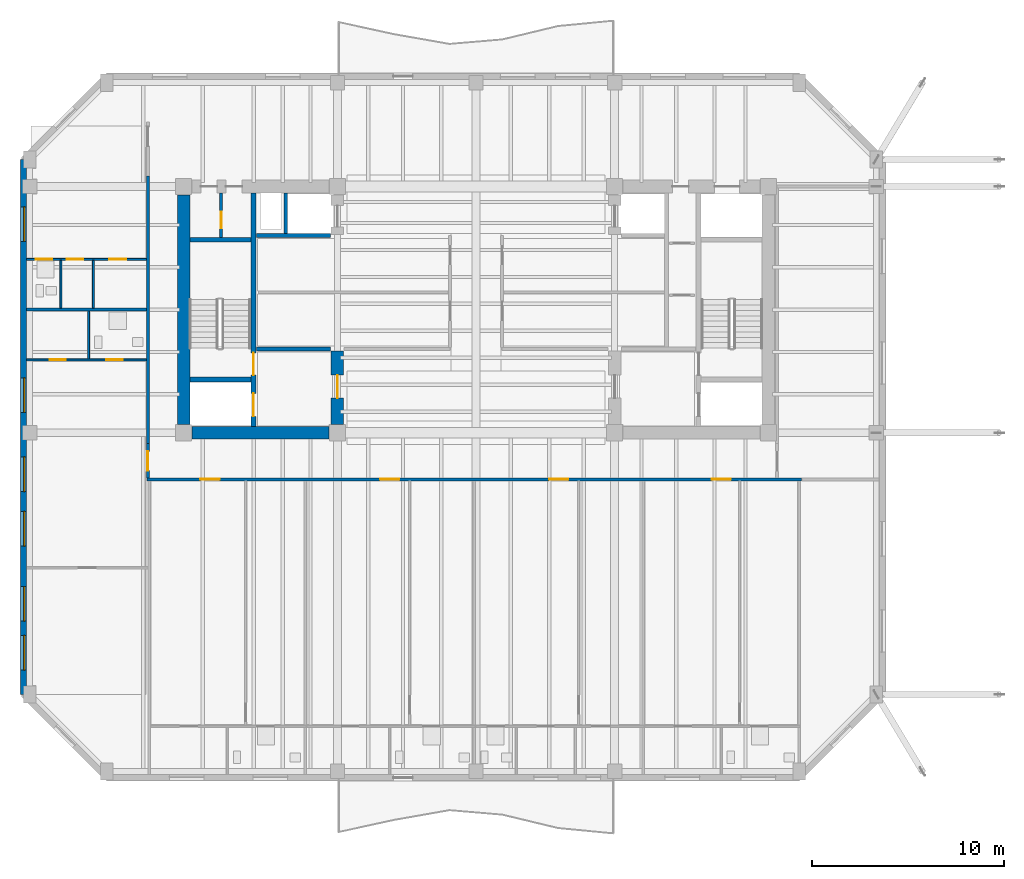
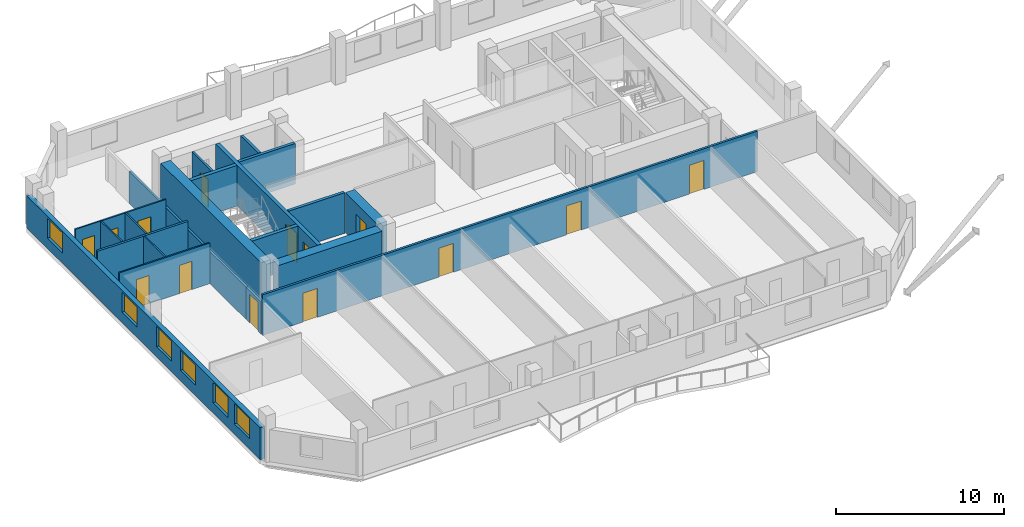
# One storey, part 5 of 12: 20 walls, 14 doors, 6 windows, 20 openings.
"""IFC4 building model written with IfcOpenShell, lengths in metres."""

from ifc_helpers import new_model, si_unit, direction, frame, frame_2d, origin, place, context, subcontext, project, spatial, rectangle, extrude, material, layer, layer_set, type_object, element, fill, save


model = new_model("IFC4")

# Units and contexts
model_context = context("Model", 3, precision=1e-05, world=origin(), true_north=direction((0.0, 1.0)))
body_context = subcontext(model_context, "Body", "Model", "MODEL_VIEW")
ifc_project = project(units=[si_unit("LENGTHUNIT", "METRE"), si_unit("AREAUNIT", "SQUARE_METRE"), si_unit("VOLUMEUNIT", "CUBIC_METRE"), si_unit("PLANEANGLEUNIT", "RADIAN"), si_unit("MASSUNIT", "GRAM", prefix="KILO")], contexts=[model_context])

# Site, building, storey
site_placement = place(None, origin())
site = spatial("IfcSite", under=ifc_project, at=site_placement, CompositionType="ELEMENT")
building_placement = place(site_placement, origin())
building = spatial("IfcBuilding", under=site, at=building_placement, Name="Kranthara Brick Stack", CompositionType="ELEMENT")
storey_placement = place(building_placement, frame((0.0, 0.0, 224.5)))
storey = spatial("IfcBuildingStorey", under=building, at=storey_placement, Name="L58", CompositionType="ELEMENT", Elevation=224.5)

# Wall, openings, windows
ifc_material_1 = material(Name="Warm buff clay brick masonry M15", Category="masonry")
ifc_layer_1 = layer(ifc_material_1, 0.320068359375)
ifc_layer_set_1 = layer_set([ifc_layer_1], Name="Warm buff clay brick masonry M15")
wall_type_1 = type_object("IfcWallType", Name="WL-BRK-UPPR-320", PredefinedType="STANDARD", material=ifc_layer_set_1)
wall_1_placement = place(storey_placement, frame((4.47998046875, 7.199951171875, 0.0), z_axis=(0.0, 0.0, 1.0), x_axis=(0.0, 1.0, 0.0)))
wall_1 = element("IfcWall", 1, at=wall_1_placement, inside=storey, type_object=wall_type_1, Name="L58 Exterior Brick Facade Wall WEST 1", PredefinedType="STANDARD", context=body_context, shape_type="SweptSolid", body=[
    extrude(rectangle(XDim=27.800048828125, YDim=0.320068359375, at=frame_2d((13.89990234375, 0.0))), origin(), (0.0, 0.0, 1.0), 2.3349609375),
])
opening_1_placement = place(wall_1_placement, frame((1.27197265625, 0.0, 0.75)))
opening_1 = element("IfcOpeningElement", 2, at=opening_1_placement, cuts=wall_1, Name="Opening WN07", PredefinedType="OPENING", context=body_context, shape_type="SweptSolid", body=[
    extrude(rectangle(XDim=1.800048828125, YDim=1.465087890625, at=frame_2d((0.89990234375, 0.732421875))), frame((0.0, 0.169921875, 0.0), z_axis=(0.0, -1.0, 0.0), x_axis=(1.0, 0.0, 0.0)), (0.0, 0.0, 1.0), 0.340087890625),
])
opening_2_placement = place(wall_1_placement, frame((3.805908203125, 0.0, 0.75)))
opening_2 = element("IfcOpeningElement", 3, at=opening_2_placement, cuts=wall_1, Name="Opening WN07", PredefinedType="OPENING", context=body_context, shape_type="SweptSolid", body=[
    extrude(rectangle(XDim=1.800048828125, YDim=1.465087890625, at=frame_2d((0.89990234375, 0.732421875))), frame((0.0, 0.169921875, 0.0), z_axis=(0.0, -1.0, 0.0), x_axis=(1.0, 0.0, 0.0)), (0.0, 0.0, 1.0), 0.340087890625),
])
opening_3_placement = place(wall_1_placement, frame((7.7109375, 0.0, 0.75)))
opening_3 = element("IfcOpeningElement", 4, at=opening_3_placement, cuts=wall_1, Name="Opening WN07", PredefinedType="OPENING", context=body_context, shape_type="SweptSolid", body=[
    extrude(rectangle(XDim=1.800048828125, YDim=1.465087890625, at=frame_2d((0.89990234375, 0.732421875))), frame((0.0, 0.169921875, 0.0), z_axis=(0.0, -1.0, 0.0), x_axis=(1.0, 0.0, 0.0)), (0.0, 0.0, 1.0), 0.340087890625),
])
opening_4_placement = place(wall_1_placement, frame((10.5419921875, 0.0, 0.75)))
opening_4 = element("IfcOpeningElement", 5, at=opening_4_placement, cuts=wall_1, Name="Opening WN07", PredefinedType="OPENING", context=body_context, shape_type="SweptSolid", body=[
    extrude(rectangle(XDim=1.800048828125, YDim=1.465087890625, at=frame_2d((0.89990234375, 0.732421875))), frame((0.0, 0.169921875, 0.0), z_axis=(0.0, -1.0, 0.0), x_axis=(1.0, 0.0, 0.0)), (0.0, 0.0, 1.0), 0.340087890625),
])
opening_5_placement = place(wall_1_placement, frame((14.657958984375, 0.0, 0.75)))
opening_5 = element("IfcOpeningElement", 6, at=opening_5_placement, cuts=wall_1, Name="Opening WN07", PredefinedType="OPENING", context=body_context, shape_type="SweptSolid", body=[
    extrude(rectangle(XDim=1.800048828125, YDim=1.465087890625, at=frame_2d((0.89990234375, 0.732421875))), frame((0.0, 0.169921875, 0.0), z_axis=(0.0, -1.0, 0.0), x_axis=(1.0, 0.0, 0.0)), (0.0, 0.0, 1.0), 0.340087890625),
])
opening_6_placement = place(wall_1_placement, frame((23.54296875, 0.0, 0.75)))
opening_6 = element("IfcOpeningElement", 7, at=opening_6_placement, cuts=wall_1, Name="Opening WN07", PredefinedType="OPENING", context=body_context, shape_type="SweptSolid", body=[
    extrude(rectangle(XDim=1.800048828125, YDim=1.465087890625, at=frame_2d((0.89990234375, 0.732421875))), frame((0.0, 0.169921875, 0.0), z_axis=(0.0, -1.0, 0.0), x_axis=(1.0, 0.0, 0.0)), (0.0, 0.0, 1.0), 0.340087890625),
])
ifc_material_2 = material(Name="Double-glazed low-E solar control glass", Category="glass")
window_type = type_object("IfcWindowType", Name="WN-RES-1800x1850", PartitioningType="DOUBLE_PANEL_VERTICAL", PredefinedType="WINDOW", material=ifc_material_2)
window_1_placement = place(opening_1_placement, origin())
window_1 = element("IfcWindow", 8, at=window_1_placement, inside=storey, type_object=window_type, Name="L58 West Deep-Set Brick Window 01", OverallHeight=1.465087890625, OverallWidth=1.800048828125, PartitioningType="SINGLE_PANEL", PredefinedType="WINDOW", context=body_context, shape_type="SweptSolid", body=[
    extrude(rectangle(XDim=1.800048828125, YDim=1.465087890625, at=frame_2d((0.89990234375, 0.732421875))), frame((0.0, -0.010009765625, 0.0), z_axis=(0.0, -1.0, 0.0), x_axis=(1.0, 0.0, 0.0)), (0.0, 0.0, 1.0), 0.06005859375),
])
fill(opening_1, window_1)
window_2_placement = place(opening_2_placement, origin())
window_2 = element("IfcWindow", 9, at=window_2_placement, inside=storey, type_object=window_type, Name="L58 West Deep-Set Brick Window 02", OverallHeight=1.465087890625, OverallWidth=1.800048828125, PartitioningType="SINGLE_PANEL", PredefinedType="WINDOW", context=body_context, shape_type="SweptSolid", body=[
    extrude(rectangle(XDim=1.800048828125, YDim=1.465087890625, at=frame_2d((0.89990234375, 0.732421875))), frame((0.0, -0.010009765625, 0.0), z_axis=(0.0, -1.0, 0.0), x_axis=(1.0, 0.0, 0.0)), (0.0, 0.0, 1.0), 0.06005859375),
])
fill(opening_2, window_2)
window_3_placement = place(opening_3_placement, origin())
window_3 = element("IfcWindow", 10, at=window_3_placement, inside=storey, type_object=window_type, Name="L58 West Deep-Set Brick Window 03", OverallHeight=1.465087890625, OverallWidth=1.800048828125, PartitioningType="SINGLE_PANEL", PredefinedType="WINDOW", context=body_context, shape_type="SweptSolid", body=[
    extrude(rectangle(XDim=1.800048828125, YDim=1.465087890625, at=frame_2d((0.89990234375, 0.732421875))), frame((0.0, -0.010009765625, 0.0), z_axis=(0.0, -1.0, 0.0), x_axis=(1.0, 0.0, 0.0)), (0.0, 0.0, 1.0), 0.06005859375),
])
fill(opening_3, window_3)
window_4_placement = place(opening_4_placement, origin())
window_4 = element("IfcWindow", 11, at=window_4_placement, inside=storey, type_object=window_type, Name="L58 West Deep-Set Brick Window 04", OverallHeight=1.465087890625, OverallWidth=1.800048828125, PartitioningType="SINGLE_PANEL", PredefinedType="WINDOW", context=body_context, shape_type="SweptSolid", body=[
    extrude(rectangle(XDim=1.800048828125, YDim=1.465087890625, at=frame_2d((0.89990234375, 0.732421875))), frame((0.0, -0.010009765625, 0.0), z_axis=(0.0, -1.0, 0.0), x_axis=(1.0, 0.0, 0.0)), (0.0, 0.0, 1.0), 0.06005859375),
])
fill(opening_4, window_4)
window_5_placement = place(opening_5_placement, origin())
window_5 = element("IfcWindow", 12, at=window_5_placement, inside=storey, type_object=window_type, Name="L58 West Deep-Set Brick Window 05", OverallHeight=1.465087890625, OverallWidth=1.800048828125, PartitioningType="SINGLE_PANEL", PredefinedType="WINDOW", context=body_context, shape_type="SweptSolid", body=[
    extrude(rectangle(XDim=1.800048828125, YDim=1.465087890625, at=frame_2d((0.89990234375, 0.732421875))), frame((0.0, -0.010009765625, 0.0), z_axis=(0.0, -1.0, 0.0), x_axis=(1.0, 0.0, 0.0)), (0.0, 0.0, 1.0), 0.06005859375),
])
fill(opening_5, window_5)
window_6_placement = place(opening_6_placement, origin())
window_6 = element("IfcWindow", 13, at=window_6_placement, inside=storey, type_object=window_type, Name="L58 West Deep-Set Brick Window 06", OverallHeight=1.465087890625, OverallWidth=1.800048828125, PartitioningType="SINGLE_PANEL", PredefinedType="WINDOW", context=body_context, shape_type="SweptSolid", body=[
    extrude(rectangle(XDim=1.800048828125, YDim=1.465087890625, at=frame_2d((0.89990234375, 0.732421875))), frame((0.0, -0.010009765625, 0.0), z_axis=(0.0, -1.0, 0.0), x_axis=(1.0, 0.0, 0.0)), (0.0, 0.0, 1.0), 0.06005859375),
])
fill(opening_6, window_6)

# Wall, openings, doors
ifc_material_3 = material(Name="Concrete C50/60", Category="concrete")
ifc_layer_2 = layer(ifc_material_3, 0.25)
ifc_layer_set_2 = layer_set([ifc_layer_2], Name="Concrete C50/60")
wall_type_2 = type_object("IfcWallType", Name="WL-CORE-250", PredefinedType="SHEAR", material=ifc_layer_set_2)
wall_2_placement = place(storey_placement, frame((16.43505859375, 21.135009765625, 0.0), z_axis=(0.0, 0.0, 1.0), x_axis=(0.0, 1.0, 0.0)))
wall_2 = element("IfcWall", 14, at=wall_2_placement, inside=storey, type_object=wall_type_2, Name="L58 West Core Stair Bearing Spine Wall", PredefinedType="SHEAR", context=body_context, shape_type="SweptSolid", body=[
    extrude(rectangle(XDim=12.1298828125, YDim=0.25, at=frame_2d((6.06494140625, 0.0))), origin(), (0.0, 0.0, 1.0), 2.949951171875),
])
opening_7_placement = place(wall_2_placement, frame((0.514892578125, 0.0, 0.0)))
opening_7 = element("IfcOpeningElement", 15, at=opening_7_placement, cuts=wall_2, Name="Opening LD01", PredefinedType="OPENING", context=body_context, shape_type="SweptSolid", body=[
    extrude(rectangle(XDim=1.199951171875, YDim=2.14990234375, at=frame_2d((0.60009765625, 1.074951171875))), frame((0.0, 0.135009765625, 0.0), z_axis=(0.0, -1.0, 0.0), x_axis=(1.0, 0.0, 0.0)), (0.0, 0.0, 1.0), 0.27001953125),
])
opening_8_placement = place(wall_2_placement, frame((2.6650390625, 0.0, 0.0)))
opening_8 = element("IfcOpeningElement", 16, at=opening_8_placement, cuts=wall_2, Name="Opening D05", PredefinedType="OPENING", context=body_context, shape_type="SweptSolid", body=[
    extrude(rectangle(XDim=1.14990234375, YDim=2.14990234375, at=frame_2d((0.574951171875, 1.074951171875))), frame((0.0, 0.135009765625, 0.0), z_axis=(0.0, -1.0, 0.0), x_axis=(1.0, 0.0, 0.0)), (0.0, 0.0, 1.0), 0.27001953125),
])
ifc_material_4 = material(Name="Stainless steel sliding landing door", Category="steel")
door_type_1 = type_object("IfcDoorType", Name="DR-LD-FF1200", OperationType="DOUBLE_DOOR_SLIDING", PredefinedType="DOOR", material=ifc_material_4)
door_1_placement = place(opening_7_placement, origin())
door_1 = element("IfcDoor", 17, at=door_1_placement, inside=storey, type_object=door_type_1, Name="L58 Firefighting Lift FF-01 Landing Door", OperationType="DOUBLE_DOOR_SLIDING", OverallHeight=2.14990234375, OverallWidth=1.199951171875, PredefinedType="DOOR", context=body_context, shape_type="SweptSolid", body=[
    extrude(rectangle(XDim=1.199951171875, YDim=2.14990234375, at=frame_2d((0.60009765625, 1.074951171875))), frame((0.0, 0.02490234375, 0.0), z_axis=(0.0, -1.0, 0.0), x_axis=(1.0, 0.0, 0.0)), (0.0, 0.0, 1.0), 0.050048828125),
])
fill(opening_7, door_1)
ifc_material_5 = material(Name="Solid-core hardwood timber leaf in steel frame", Category="steel")
door_type_2 = type_object("IfcDoorType", Name="DR-ST-1150", OperationType="NOTDEFINED", PredefinedType="DOOR", material=ifc_material_5)
door_2_placement = place(opening_8_placement, origin())
door_2 = element("IfcDoor", 18, at=door_2_placement, inside=storey, type_object=door_type_2, Name="L58 Exit Stair ST01 Door", OperationType="SINGLE_SWING_RIGHT", OverallHeight=2.14990234375, OverallWidth=1.14990234375, PredefinedType="DOOR", context=body_context, shape_type="SweptSolid", body=[
    extrude(rectangle(XDim=1.14990234375, YDim=2.14990234375, at=frame_2d((0.574951171875, 1.074951171875))), frame((0.0, 0.02490234375, 0.0), z_axis=(0.0, -1.0, 0.0), x_axis=(1.0, 0.0, 0.0)), (0.0, 0.0, 1.0), 0.050048828125),
])
fill(opening_8, door_2)

# Walls
for number, where, z_axis, x_axis, name in (
    (19, (13.135009765625, 23.570068359375, 0.0), (0.0, 0.0, 1.0), (1.0, 0.0, 0.0), "L58 West Stairwell Bearing Wall WFF"),
    (20, (13.135009765625, 30.830078125, 0.0), (0.0, 0.0, 1.0), (1.0, 0.0, 0.0), "L58 West Stairwell Bearing Wall WST"),
):
    element("IfcWall", number, at=place(storey_placement, frame(where, z_axis=z_axis, x_axis=x_axis)), inside=storey, type_object=wall_type_2, Name=name, PredefinedType="SHEAR", context=body_context, shape_type="SweptSolid", body=[
        extrude(rectangle(XDim=3.175048828125, YDim=0.25, at=frame_2d((1.58740234375, 0.0))), origin(), (0.0, 0.0, 1.0), 2.949951171875),
    ])
ifc_material_6 = material(Name="Concrete C60/75", Category="concrete")
ifc_layer_3 = layer(ifc_material_6, 0.64990234375)
ifc_layer_set_3 = layer_set([ifc_layer_3], Name="Concrete C60/75")
wall_type_3 = type_object("IfcWallType", Name="WL-CORE-650", PredefinedType="SHEAR", material=ifc_layer_set_3)
wall_3_placement = place(storey_placement, frame((12.800048828125, 21.22998046875, 0.0), z_axis=(0.0, 0.0, 1.0), x_axis=(0.0, 1.0, 0.0)))
element("IfcWall", 21, at=wall_3_placement, inside=storey, type_object=wall_type_3, Name="L58 West Core Shear Wall West", PredefinedType="SHEAR", context=body_context, shape_type="SweptSolid", body=[
    extrude(rectangle(XDim=11.93994140625, YDim=0.64990234375, at=frame_2d((5.969970703125, 0.0))), origin(), (0.0, 0.0, 1.0), 2.949951171875),
])
wall_4_placement = place(storey_placement, frame((13.22998046875, 20.800048828125, 0.0), z_axis=(0.0, 0.0, 1.0), x_axis=(1.0, 0.0, 0.0)))
element("IfcWall", 22, at=wall_4_placement, inside=storey, type_object=wall_type_3, Name="L58 West Core Shear Wall South", PredefinedType="SHEAR", context=body_context, shape_type="SweptSolid", body=[
    extrude(rectangle(XDim=7.14013671875, YDim=0.64990234375, at=frame_2d((3.570068359375, 0.0))), origin(), (0.0, 0.0, 1.0), 2.949951171875),
])

# Wall, opening, door
wall_5_placement = place(storey_placement, frame((20.800048828125, 21.22998046875, 0.0), z_axis=(0.0, 0.0, 1.0), x_axis=(0.0, 1.0, 0.0)))
wall_5 = element("IfcWall", 23, at=wall_5_placement, inside=storey, type_object=wall_type_3, Name="L58 West Core Lobby Shear Wall", PredefinedType="SHEAR", context=body_context, shape_type="SweptSolid", body=[
    extrude(rectangle(XDim=3.820068359375, YDim=0.64990234375, at=frame_2d((1.91015625, 0.0))), origin(), (0.0, 0.0, 1.0), 2.949951171875),
])
opening_9_placement = place(wall_5_placement, frame((1.3701171875, 0.0, 0.0)))
opening_9 = element("IfcOpeningElement", 24, at=opening_9_placement, cuts=wall_5, Name="Opening D06", PredefinedType="OPENING", context=body_context, shape_type="SweptSolid", body=[
    extrude(rectangle(XDim=1.199951171875, YDim=2.14990234375, at=frame_2d((0.60009765625, 1.074951171875))), frame((0.0, 0.3349609375, 0.0), z_axis=(0.0, -1.0, 0.0), x_axis=(1.0, 0.0, 0.0)), (0.0, 0.0, 1.0), 0.669921875),
])
ifc_material_7 = material(Name="Solid-core hardwood timber leaf in steel frame", Category="steel")
door_type_3 = type_object("IfcDoorType", Name="DR-FFL-1200", OperationType="NOTDEFINED", PredefinedType="DOOR", material=ifc_material_7)
door_3_placement = place(opening_9_placement, origin())
door_3 = element("IfcDoor", 25, at=door_3_placement, inside=storey, type_object=door_type_3, Name="L58 West Firefighting Lobby Door", OperationType="SINGLE_SWING_LEFT", OverallHeight=2.14990234375, OverallWidth=1.199951171875, PredefinedType="DOOR", context=body_context, shape_type="SweptSolid", body=[
    extrude(rectangle(XDim=1.199951171875, YDim=2.14990234375, at=frame_2d((0.60009765625, 1.074951171875))), frame((0.0, 0.02490234375, 0.0), z_axis=(0.0, -1.0, 0.0), x_axis=(1.0, 0.0, 0.0)), (0.0, 0.0, 1.0), 0.050048828125),
])
fill(opening_9, door_3)

# Wall, openings, doors
ifc_material_8 = material(Name="Moisture-resistant wet-room partition", Category="other")
ifc_layer_4 = layer(ifc_material_8, 0.10009765625)
ifc_layer_set_4 = layer_set([ifc_layer_4], Name="Moisture-resistant wet-room partition")
wall_type_4 = type_object("IfcWallType", Name="WL-PART-100", PredefinedType="PARTITIONING", material=ifc_layer_set_4)
wall_6_placement = place(storey_placement, frame((4.64501953125, 24.590087890625, 0.0), z_axis=(0.0, 0.0, 1.0), x_axis=(1.0, 0.0, 0.0)))
wall_6 = element("IfcWall", 26, at=wall_6_placement, inside=storey, type_object=wall_type_4, Name="L58 Interior Partition 035", PredefinedType="PARTITIONING", context=body_context, shape_type="SweptSolid", body=[
    extrude(rectangle(XDim=6.22509765625, YDim=0.10009765625, at=frame_2d((3.112548828125, 0.0))), origin(), (0.0, 0.0, 1.0), 2.949951171875),
])
opening_10_placement = place(wall_6_placement, frame((1.19189453125, 0.0, 0.0)))
opening_10 = element("IfcOpeningElement", 27, at=opening_10_placement, cuts=wall_6, Name="Opening D16", PredefinedType="OPENING", context=body_context, shape_type="SweptSolid", body=[
    extrude(rectangle(XDim=0.85009765625, YDim=2.050048828125, at=frame_2d((0.425048828125, 1.02490234375))), frame((0.0, 0.06005859375, 0.0), z_axis=(0.0, -1.0, 0.0), x_axis=(1.0, 0.0, 0.0)), (0.0, 0.0, 1.0), 0.1201171875),
])
opening_11_placement = place(wall_6_placement, frame((4.137939453125, 0.0, 0.0)))
opening_11 = element("IfcOpeningElement", 28, at=opening_11_placement, cuts=wall_6, Name="Opening D17", PredefinedType="OPENING", context=body_context, shape_type="SweptSolid", body=[
    extrude(rectangle(XDim=0.85009765625, YDim=2.050048828125, at=frame_2d((0.425048828125, 1.02490234375))), frame((0.0, 0.06005859375, 0.0), z_axis=(0.0, -1.0, 0.0), x_axis=(1.0, 0.0, 0.0)), (0.0, 0.0, 1.0), 0.1201171875),
])
ifc_material_9 = material(Name="Solid-core hardwood timber leaf in steel frame", Category="steel")
door_type_4 = type_object("IfcDoorType", Name="DR-INT-850", OperationType="NOTDEFINED", PredefinedType="DOOR", material=ifc_material_9)
door_4_placement = place(opening_10_placement, origin())
door_4 = element("IfcDoor", 29, at=door_4_placement, inside=storey, type_object=door_type_4, Name="L58 Unit L58E Kitchen 27", OperationType="SINGLE_SWING_LEFT", OverallHeight=2.050048828125, OverallWidth=0.85009765625, PredefinedType="DOOR", context=body_context, shape_type="SweptSolid", body=[
    extrude(rectangle(XDim=0.85009765625, YDim=2.050048828125, at=frame_2d((0.425048828125, 1.02490234375))), frame((0.0, 0.02490234375, 0.0), z_axis=(0.0, -1.0, 0.0), x_axis=(1.0, 0.0, 0.0)), (0.0, 0.0, 1.0), 0.050048828125),
])
fill(opening_10, door_4)
ifc_material_10 = material(Name="Solid-core hardwood timber leaf in steel frame", Category="steel")
door_type_5 = type_object("IfcDoorType", Name="DR-WET-850", OperationType="NOTDEFINED", PredefinedType="DOOR", material=ifc_material_10)
door_5_placement = place(opening_11_placement, origin())
door_5 = element("IfcDoor", 30, at=door_5_placement, inside=storey, type_object=door_type_5, Name="L58 Unit L58E Bathroom 28", OperationType="SINGLE_SWING_RIGHT", OverallHeight=2.050048828125, OverallWidth=0.85009765625, PredefinedType="DOOR", context=body_context, shape_type="SweptSolid", body=[
    extrude(rectangle(XDim=0.85009765625, YDim=2.050048828125, at=frame_2d((0.425048828125, 1.02490234375))), frame((0.0, 0.02490234375, 0.0), z_axis=(0.0, -1.0, 0.0), x_axis=(1.0, 0.0, 0.0)), (0.0, 0.0, 1.0), 0.050048828125),
])
fill(opening_11, door_5)

# Wall
wall_7_placement = place(storey_placement, frame((7.864990234375, 24.64501953125, 0.0), z_axis=(0.0, 0.0, 1.0), x_axis=(0.0, 1.0, 0.0)))
element("IfcWall", 31, at=wall_7_placement, inside=storey, type_object=wall_type_4, Name="L58 Interior Partition 037", PredefinedType="PARTITIONING", context=body_context, shape_type="SweptSolid", body=[
    extrude(rectangle(XDim=2.47509765625, YDim=0.10009765625, at=frame_2d((1.237548828125, 0.0))), origin(), (0.0, 0.0, 1.0), 2.949951171875),
])

# Wall, openings, doors
wall_8_placement = place(storey_placement, frame((4.64501953125, 29.81005859375, 0.0), z_axis=(0.0, 0.0, 1.0), x_axis=(1.0, 0.0, 0.0)))
wall_8 = element("IfcWall", 32, at=wall_8_placement, inside=storey, type_object=wall_type_4, Name="L58 Interior Partition 038", PredefinedType="PARTITIONING", context=body_context, shape_type="SweptSolid", body=[
    extrude(rectangle(XDim=6.22509765625, YDim=0.10009765625, at=frame_2d((3.112548828125, 0.0))), origin(), (0.0, 0.0, 1.0), 2.949951171875),
])
opening_12_placement = place(wall_8_placement, frame((0.471923828125, 0.0, 0.0)))
opening_12 = element("IfcOpeningElement", 33, at=opening_12_placement, cuts=wall_8, Name="Opening D17", PredefinedType="OPENING", context=body_context, shape_type="SweptSolid", body=[
    extrude(rectangle(XDim=0.85009765625, YDim=2.050048828125, at=frame_2d((0.425048828125, 1.02490234375))), frame((0.0, 0.06005859375, 0.0), z_axis=(0.0, -1.0, 0.0), x_axis=(1.0, 0.0, 0.0)), (0.0, 0.0, 1.0), 0.1201171875),
])
opening_13_placement = place(wall_8_placement, frame((2.092041015625, 0.0, 0.0)))
opening_13 = element("IfcOpeningElement", 34, at=opening_13_placement, cuts=wall_8, Name="Opening D16", PredefinedType="OPENING", context=body_context, shape_type="SweptSolid", body=[
    extrude(rectangle(XDim=0.85009765625, YDim=2.050048828125, at=frame_2d((0.425048828125, 1.02490234375))), frame((0.0, 0.06005859375, 0.0), z_axis=(0.0, -1.0, 0.0), x_axis=(1.0, 0.0, 0.0)), (0.0, 0.0, 1.0), 0.1201171875),
])
opening_14_placement = place(wall_8_placement, frame((4.284912109375, 0.0, 0.0)))
opening_14 = element("IfcOpeningElement", 35, at=opening_14_placement, cuts=wall_8, Name="Opening D15", PredefinedType="OPENING", context=body_context, shape_type="SweptSolid", body=[
    extrude(rectangle(XDim=0.89990234375, YDim=2.050048828125, at=frame_2d((0.449951171875, 1.02490234375))), frame((0.0, 0.06005859375, 0.0), z_axis=(0.0, -1.0, 0.0), x_axis=(1.0, 0.0, 0.0)), (0.0, 0.0, 1.0), 0.1201171875),
])
door_6_placement = place(opening_13_placement, origin())
door_6 = element("IfcDoor", 36, at=door_6_placement, inside=storey, type_object=door_type_4, Name="L58 Unit L58F Kitchen 31", OperationType="SINGLE_SWING_LEFT", OverallHeight=2.050048828125, OverallWidth=0.85009765625, PredefinedType="DOOR", context=body_context, shape_type="SweptSolid", body=[
    extrude(rectangle(XDim=0.85009765625, YDim=2.050048828125, at=frame_2d((0.425048828125, 1.02490234375))), frame((0.0, 0.02490234375, 0.0), z_axis=(0.0, -1.0, 0.0), x_axis=(1.0, 0.0, 0.0)), (0.0, 0.0, 1.0), 0.050048828125),
])
fill(opening_13, door_6)
ifc_material_11 = material(Name="Solid-core hardwood timber leaf in steel frame", Category="steel")
door_type_6 = type_object("IfcDoorType", Name="DR-INT-900", OperationType="NOTDEFINED", PredefinedType="DOOR", material=ifc_material_11)
door_7_placement = place(opening_14_placement, origin())
door_7 = element("IfcDoor", 37, at=door_7_placement, inside=storey, type_object=door_type_6, Name="L58 Unit L58F Bedroom 32", OperationType="SINGLE_SWING_RIGHT", OverallHeight=2.050048828125, OverallWidth=0.89990234375, PredefinedType="DOOR", context=body_context, shape_type="SweptSolid", body=[
    extrude(rectangle(XDim=0.89990234375, YDim=2.050048828125, at=frame_2d((0.449951171875, 1.02490234375))), frame((0.0, 0.02490234375, 0.0), z_axis=(0.0, -1.0, 0.0), x_axis=(1.0, 0.0, 0.0)), (0.0, 0.0, 1.0), 0.050048828125),
])
fill(opening_14, door_7)
door_8_placement = place(opening_12_placement, origin())
door_8 = element("IfcDoor", 38, at=door_8_placement, inside=storey, type_object=door_type_5, Name="L58 Unit L58F Bathroom 30", OperationType="SINGLE_SWING_RIGHT", OverallHeight=2.050048828125, OverallWidth=0.85009765625, PredefinedType="DOOR", context=body_context, shape_type="SweptSolid", body=[
    extrude(rectangle(XDim=0.85009765625, YDim=2.050048828125, at=frame_2d((0.425048828125, 1.02490234375))), frame((0.0, 0.02490234375, 0.0), z_axis=(0.0, -1.0, 0.0), x_axis=(1.0, 0.0, 0.0)), (0.0, 0.0, 1.0), 0.050048828125),
])
fill(opening_12, door_8)

# Walls
for number, where, z_axis, x_axis, name in (
    (39, (6.425048828125, 27.280029296875, 0.0), (0.0, 0.0, 1.0), (0.0, 1.0, 0.0), "L58 Interior Partition 039"),
    (40, (8.110107421875, 27.280029296875, 0.0), (0.0, 0.0, 1.0), (0.0, 1.0, 0.0), "L58 Interior Partition 040"),
):
    element("IfcWall", number, at=place(storey_placement, frame(where, z_axis=z_axis, x_axis=x_axis)), inside=storey, type_object=wall_type_4, Name=name, PredefinedType="PARTITIONING", context=body_context, shape_type="SweptSolid", body=[
        extrude(rectangle(XDim=2.474853515625, YDim=0.10009765625, at=frame_2d((1.2373046875, 0.0))), origin(), (0.0, 0.0, 1.0), 2.949951171875),
    ])

# Wall, opening, door
ifc_material_12 = material(Name="Fire-rated gypsum board partition", Category="other")
ifc_layer_5 = layer(ifc_material_12, 0.14990234375)
ifc_layer_set_5 = layer_set([ifc_layer_5], Name="Fire-rated gypsum board partition")
wall_type_5 = type_object("IfcWallType", Name="WL-PART-150", PredefinedType="PARTITIONING", material=ifc_layer_set_5)
wall_9_placement = place(storey_placement, frame((14.75, 30.9599609375, 0.0), z_axis=(0.0, 0.0, 1.0), x_axis=(0.0, 1.0, 0.0)))
wall_9 = element("IfcWall", 41, at=wall_9_placement, inside=storey, type_object=wall_type_5, Name="L58 Interior Partition 001", PredefinedType="PARTITIONING", context=body_context, shape_type="SweptSolid", body=[
    extrude(rectangle(XDim=2.31005859375, YDim=0.14990234375, at=frame_2d((1.155029296875, 0.0))), origin(), (0.0, 0.0, 1.0), 2.949951171875),
])
opening_15_placement = place(wall_9_placement, frame((0.469970703125, 0.0, 0.0)))
opening_15 = element("IfcOpeningElement", 42, at=opening_15_placement, cuts=wall_9, Name="Opening D10", PredefinedType="OPENING", context=body_context, shape_type="SweptSolid", body=[
    extrude(rectangle(XDim=0.85009765625, YDim=2.02001953125, at=frame_2d((0.425048828125, 1.010009765625))), frame((0.0, 0.0849609375, 0.0), z_axis=(0.0, -1.0, 0.0), x_axis=(1.0, 0.0, 0.0)), (0.0, 0.0, 1.0), 0.169921875),
])
ifc_material_13 = material(Name="Solid-core hardwood timber leaf in steel frame", Category="steel")
door_type_7 = type_object("IfcDoorType", Name="DR-RSR-850", OperationType="NOTDEFINED", PredefinedType="DOOR", material=ifc_material_13)
door_9_placement = place(opening_15_placement, origin())
door_9 = element("IfcDoor", 43, at=door_9_placement, inside=storey, type_object=door_type_7, Name="L58 Service Interconnect 01", OperationType="SINGLE_SWING_LEFT", OverallHeight=2.02001953125, OverallWidth=0.85009765625, PredefinedType="DOOR", context=body_context, shape_type="SweptSolid", body=[
    extrude(rectangle(XDim=0.85009765625, YDim=2.02001953125, at=frame_2d((0.425048828125, 1.010009765625))), frame((0.0, 0.02490234375, 0.0), z_axis=(0.0, -1.0, 0.0), x_axis=(1.0, 0.0, 0.0)), (0.0, 0.0, 1.0), 0.050048828125),
])
fill(opening_15, door_9)

# Wall, openings, doors
wall_10_placement = place(storey_placement, frame((10.89990234375, 18.3798828125, 0.0), z_axis=(0.0, 0.0, 1.0), x_axis=(1.0, 0.0, 0.0)))
wall_10 = element("IfcWall", 44, at=wall_10_placement, inside=storey, type_object=wall_type_5, Name="L58 Interior Partition 010", PredefinedType="PARTITIONING", context=body_context, shape_type="SweptSolid", body=[
    extrude(rectangle(XDim=34.02001953125, YDim=0.14990234375, at=frame_2d((17.010009765625, 0.0))), origin(), (0.0, 0.0, 1.0), 2.949951171875),
])
opening_16_placement = place(wall_10_placement, frame((2.77392578125, 0.0, 0.0)))
opening_16 = element("IfcOpeningElement", 45, at=opening_16_placement, cuts=wall_10, Name="Opening D08", PredefinedType="OPENING", context=body_context, shape_type="SweptSolid", body=[
    extrude(rectangle(XDim=1.0, YDim=2.10009765625, at=frame_2d((0.5, 1.050048828125))), frame((0.0, 0.0849609375, 0.0), z_axis=(0.0, -1.0, 0.0), x_axis=(1.0, 0.0, 0.0)), (0.0, 0.0, 1.0), 0.169921875),
])
opening_17_placement = place(wall_10_placement, frame((12.117919921875, 0.0, 0.0)))
opening_17 = element("IfcOpeningElement", 46, at=opening_17_placement, cuts=wall_10, Name="Opening D08", PredefinedType="OPENING", context=body_context, shape_type="SweptSolid", body=[
    extrude(rectangle(XDim=1.0, YDim=2.10009765625, at=frame_2d((0.5, 1.050048828125))), frame((0.0, 0.0849609375, 0.0), z_axis=(0.0, -1.0, 0.0), x_axis=(1.0, 0.0, 0.0)), (0.0, 0.0, 1.0), 0.169921875),
])
opening_18_placement = place(wall_10_placement, frame((20.90087890625, 0.0, 0.0)))
opening_18 = element("IfcOpeningElement", 47, at=opening_18_placement, cuts=wall_10, Name="Opening D08", PredefinedType="OPENING", context=body_context, shape_type="SweptSolid", body=[
    extrude(rectangle(XDim=1.0, YDim=2.10009765625, at=frame_2d((0.5, 1.050048828125))), frame((0.0, 0.0849609375, 0.0), z_axis=(0.0, -1.0, 0.0), x_axis=(1.0, 0.0, 0.0)), (0.0, 0.0, 1.0), 0.169921875),
])
opening_19_placement = place(wall_10_placement, frame((29.345947265625, 0.0, 0.0)))
opening_19 = element("IfcOpeningElement", 48, at=opening_19_placement, cuts=wall_10, Name="Opening D08", PredefinedType="OPENING", context=body_context, shape_type="SweptSolid", body=[
    extrude(rectangle(XDim=1.0, YDim=2.10009765625, at=frame_2d((0.5, 1.050048828125))), frame((0.0, 0.0849609375, 0.0), z_axis=(0.0, -1.0, 0.0), x_axis=(1.0, 0.0, 0.0)), (0.0, 0.0, 1.0), 0.169921875),
])
ifc_material_14 = material(Name="Solid-core hardwood timber leaf in steel frame", Category="steel")
door_type_8 = type_object("IfcDoorType", Name="DR-FD-1000", OperationType="NOTDEFINED", PredefinedType="DOOR", material=ifc_material_14)
door_10_placement = place(opening_16_placement, origin())
door_10 = element("IfcDoor", 49, at=door_10_placement, inside=storey, type_object=door_type_8, Name="L58 Unit L58A Entrance 08", OperationType="SINGLE_SWING_RIGHT", OverallHeight=2.10009765625, OverallWidth=1.0, PredefinedType="DOOR", context=body_context, shape_type="SweptSolid", body=[
    extrude(rectangle(XDim=1.0, YDim=2.10009765625, at=frame_2d((0.5, 1.050048828125))), frame((0.0, 0.02490234375, 0.0), z_axis=(0.0, -1.0, 0.0), x_axis=(1.0, 0.0, 0.0)), (0.0, 0.0, 1.0), 0.050048828125),
])
fill(opening_16, door_10)
door_11_placement = place(opening_17_placement, origin())
door_11 = element("IfcDoor", 50, at=door_11_placement, inside=storey, type_object=door_type_8, Name="L58 Unit L58B Entrance 12", OperationType="SINGLE_SWING_RIGHT", OverallHeight=2.10009765625, OverallWidth=1.0, PredefinedType="DOOR", context=body_context, shape_type="SweptSolid", body=[
    extrude(rectangle(XDim=1.0, YDim=2.10009765625, at=frame_2d((0.5, 1.050048828125))), frame((0.0, 0.02490234375, 0.0), z_axis=(0.0, -1.0, 0.0), x_axis=(1.0, 0.0, 0.0)), (0.0, 0.0, 1.0), 0.050048828125),
])
fill(opening_17, door_11)
door_12_placement = place(opening_18_placement, origin())
door_12 = element("IfcDoor", 51, at=door_12_placement, inside=storey, type_object=door_type_8, Name="L58 Unit L58C Entrance 16", OperationType="SINGLE_SWING_RIGHT", OverallHeight=2.10009765625, OverallWidth=1.0, PredefinedType="DOOR", context=body_context, shape_type="SweptSolid", body=[
    extrude(rectangle(XDim=1.0, YDim=2.10009765625, at=frame_2d((0.5, 1.050048828125))), frame((0.0, 0.02490234375, 0.0), z_axis=(0.0, -1.0, 0.0), x_axis=(1.0, 0.0, 0.0)), (0.0, 0.0, 1.0), 0.050048828125),
])
fill(opening_18, door_12)
door_13_placement = place(opening_19_placement, origin())
door_13 = element("IfcDoor", 52, at=door_13_placement, inside=storey, type_object=door_type_8, Name="L58 Unit L58D Entrance 21", OperationType="SINGLE_SWING_LEFT", OverallHeight=2.10009765625, OverallWidth=1.0, PredefinedType="DOOR", context=body_context, shape_type="SweptSolid", body=[
    extrude(rectangle(XDim=1.0, YDim=2.10009765625, at=frame_2d((0.5, 1.050048828125))), frame((0.0, 0.02490234375, 0.0), z_axis=(0.0, -1.0, 0.0), x_axis=(1.0, 0.0, 0.0)), (0.0, 0.0, 1.0), 0.050048828125),
])
fill(opening_19, door_13)

# Wall, opening, door
wall_11_placement = place(storey_placement, frame((10.949951171875, 18.4599609375, 0.0), z_axis=(0.0, 0.0, 1.0), x_axis=(0.0, 1.0, 0.0)))
wall_11 = element("IfcWall", 53, at=wall_11_placement, inside=storey, type_object=wall_type_5, Name="L58 Interior Partition 030", PredefinedType="PARTITIONING", context=body_context, shape_type="SweptSolid", body=[
    extrude(rectangle(XDim=1.7900390625, YDim=0.14990234375, at=frame_2d((0.89501953125, 0.0))), origin(), (0.0, 0.0, 1.0), 2.3349609375),
])
opening_20_placement = place(wall_11_placement, frame((0.375, 0.0, 0.0)))
opening_20 = element("IfcOpeningElement", 54, at=opening_20_placement, cuts=wall_11, Name="Opening D08", PredefinedType="OPENING", context=body_context, shape_type="SweptSolid", body=[
    extrude(rectangle(XDim=1.0, YDim=2.10009765625, at=frame_2d((0.5, 1.050048828125))), frame((0.0, 0.0849609375, 0.0), z_axis=(0.0, -1.0, 0.0), x_axis=(1.0, 0.0, 0.0)), (0.0, 0.0, 1.0), 0.169921875),
])
door_14_placement = place(opening_20_placement, origin())
door_14 = element("IfcDoor", 55, at=door_14_placement, inside=storey, type_object=door_type_8, Name="L58 Unit L58E Entrance 25", OperationType="SINGLE_SWING_LEFT", OverallHeight=2.10009765625, OverallWidth=1.0, PredefinedType="DOOR", context=body_context, shape_type="SweptSolid", body=[
    extrude(rectangle(XDim=1.0, YDim=2.10009765625, at=frame_2d((0.5, 1.050048828125))), frame((0.0, 0.02490234375, 0.0), z_axis=(0.0, -1.0, 0.0), x_axis=(1.0, 0.0, 0.0)), (0.0, 0.0, 1.0), 0.050048828125),
])
fill(opening_20, door_14)

# Walls
wall_12_placement = place(storey_placement, frame((10.949951171875, 20.25, 0.0), z_axis=(0.0, 0.0, 1.0), x_axis=(0.0, 1.0, 0.0)))
element("IfcWall", 56, at=wall_12_placement, inside=storey, type_object=wall_type_5, Name="L58 Interior Partition 031", PredefinedType="PARTITIONING", context=body_context, shape_type="SweptSolid", body=[
    extrude(rectangle(XDim=13.89990234375, YDim=0.14990234375, at=frame_2d((6.949951171875, 0.0))), origin(), (0.0, 0.0, 1.0), 2.3349609375),
])
wall_13_placement = place(storey_placement, frame((4.64501953125, 27.199951171875, 0.0), z_axis=(0.0, 0.0, 1.0), x_axis=(1.0, 0.0, 0.0)))
element("IfcWall", 57, at=wall_13_placement, inside=storey, type_object=wall_type_5, Name="L58 Interior Partition 034", PredefinedType="PARTITIONING", context=body_context, shape_type="SweptSolid", body=[
    extrude(rectangle(XDim=6.22509765625, YDim=0.14990234375, at=frame_2d((3.112548828125, 0.0))), origin(), (0.0, 0.0, 1.0), 2.949951171875),
])
ifc_material_15 = material(Name="Gypsum plasterboard on acoustic twin stud", Category="other")
ifc_layer_6 = layer(ifc_material_15, 0.179931640625)
ifc_layer_set_6 = layer_set([ifc_layer_6], Name="Gypsum plasterboard on acoustic twin stud")
wall_type_6 = type_object("IfcWallType", Name="WL-PART-180", PredefinedType="PARTITIONING", material=ifc_layer_set_6)
wall_14_placement = place(storey_placement, frame((18.1201171875, 31.169921875, 0.0), z_axis=(0.0, 0.0, 1.0), x_axis=(0.0, 1.0, 0.0)))
element("IfcWall", 58, at=wall_14_placement, inside=storey, type_object=wall_type_6, Name="L58 PL-07 Shaft Back Wall", PredefinedType="PARTITIONING", context=body_context, shape_type="SweptSolid", body=[
    extrude(rectangle(XDim=2.094970703125, YDim=0.179931640625, at=frame_2d((1.04736328125, 0.0))), origin(), (0.0, 0.0, 1.0), 2.949951171875),
])
ifc_material_16 = material(Name="Concrete C40/50", Category="concrete")
ifc_layer_7 = layer(ifc_material_16, 0.199951171875)
ifc_layer_set_7 = layer_set([ifc_layer_7], Name="Concrete C40/50")
wall_type_7 = type_object("IfcWallType", Name="WL-PART-200", PredefinedType="SOLIDWALL", material=ifc_layer_set_7)
for number, where, z_axis, x_axis, name in (
    (59, (16.60009765625, 25.14990234375, 0.0), (0.0, 0.0, 1.0), (1.0, 0.0, 0.0), "L58 West Core Cross Wall WFL"),
    (60, (16.60009765625, 31.050048828125, 0.0), (0.0, 0.0, 1.0), (1.0, 0.0, 0.0), "L58 West Core Cross Wall WH4"),
):
    element("IfcWall", number, at=place(storey_placement, frame(where, z_axis=z_axis, x_axis=x_axis)), inside=storey, type_object=wall_type_7, Name=name, PredefinedType="SOLIDWALL", context=body_context, shape_type="SweptSolid", body=[
        extrude(rectangle(XDim=3.849853515625, YDim=0.199951171875, at=frame_2d((1.9248046875, 0.0))), origin(), (0.0, 0.0, 1.0), 2.949951171875),
    ])

save(model, "model.ifc")
